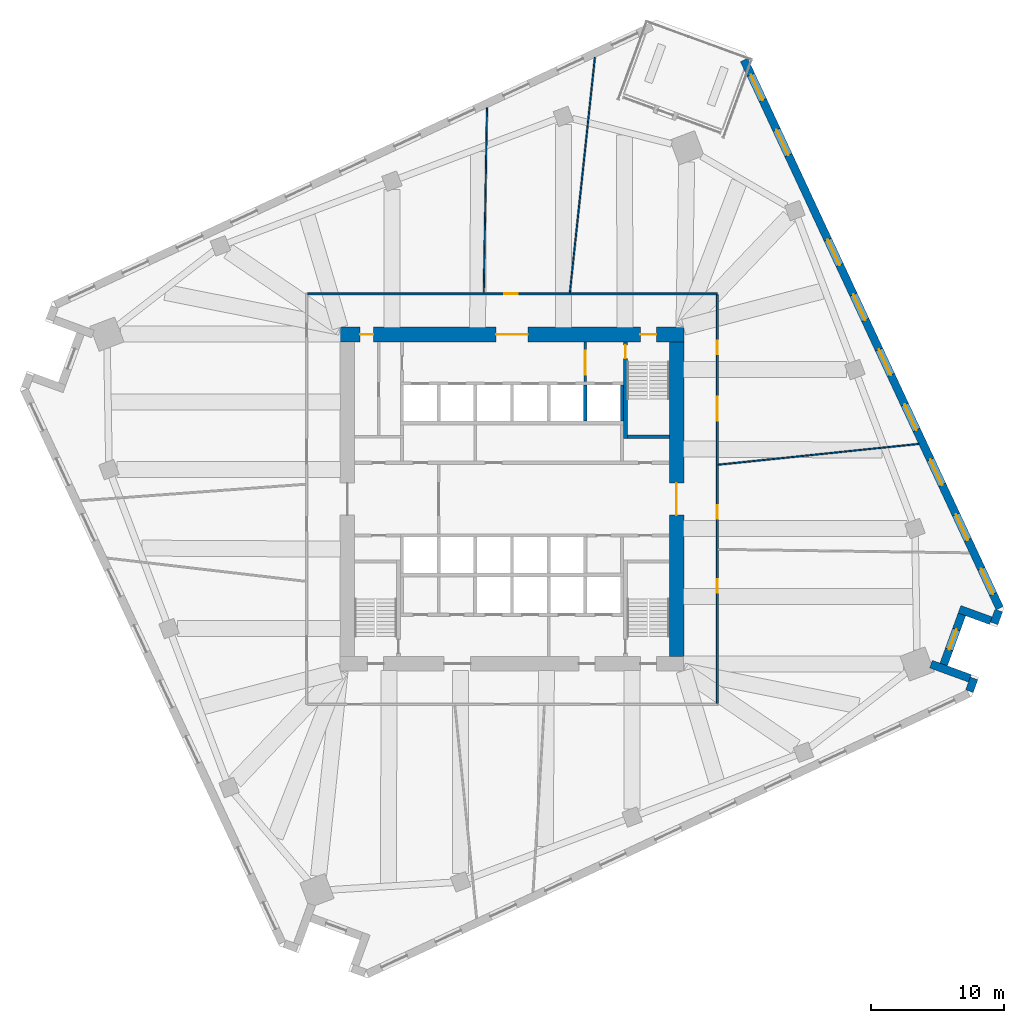
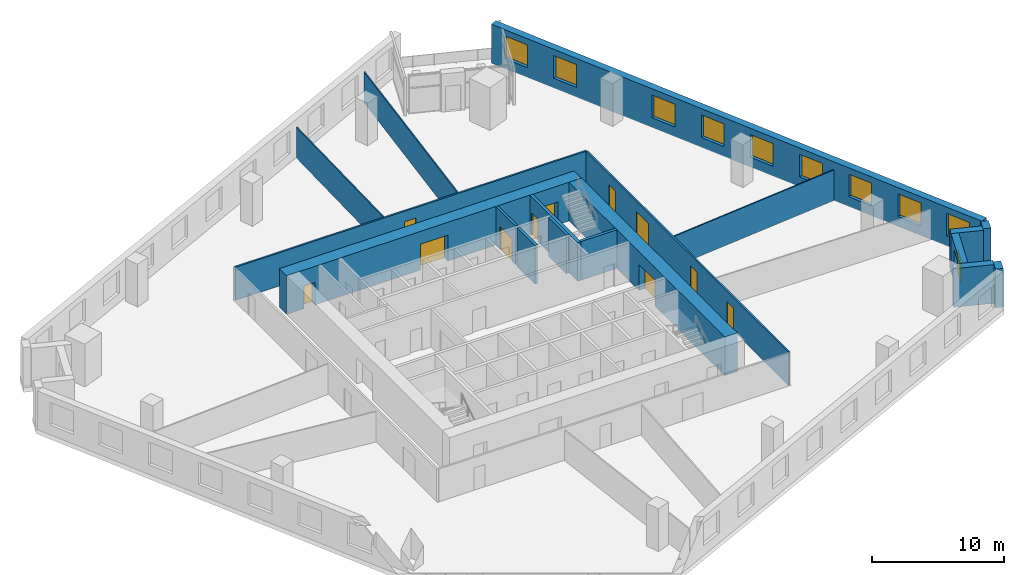
# One storey, part 9 of 12: 18 walls, 11 doors, 10 windows, 21 openings.
"""IFC4 building model written with IfcOpenShell, lengths in metres."""

from ifc_helpers import new_model, si_unit, direction, frame, frame_2d, origin, place, context, subcontext, project, spatial, rectangle, extrude, material, layer, layer_set, type_object, element, fill, save


model = new_model("IFC4")

# Units and contexts
model_context = context("Model", 3, precision=1e-05, world=origin(), true_north=direction((0.0, 1.0)))
body_context = subcontext(model_context, "Body", "Model", "MODEL_VIEW")
ifc_project = project(units=[si_unit("LENGTHUNIT", "METRE"), si_unit("AREAUNIT", "SQUARE_METRE"), si_unit("VOLUMEUNIT", "CUBIC_METRE"), si_unit("PLANEANGLEUNIT", "RADIAN"), si_unit("MASSUNIT", "GRAM", prefix="KILO")], contexts=[model_context])

# Site, building, storey
site_placement = place(None, origin())
site = spatial("IfcSite", under=ifc_project, at=site_placement, CompositionType="ELEMENT")
building_placement = place(site_placement, origin())
building = spatial("IfcBuilding", under=site, at=building_placement, Name="Dilmun Exchange Tower", CompositionType="ELEMENT")
storey_placement = place(building_placement, frame((0.0, 0.0, 122.10009765625)))
storey = spatial("IfcBuildingStorey", under=building, at=storey_placement, Name="L28", CompositionType="ELEMENT", Elevation=122.10009765625)

# Wall, opening, door
ifc_material_1 = material(Name="Concrete C40/50", Category="concrete")
ifc_layer_1 = layer(ifc_material_1, 0.199951171875)
ifc_layer_set_1 = layer_set([ifc_layer_1], Name="Concrete C40/50")
wall_type_1 = type_object("IfcWallType", Name="Core partition wall 200", PredefinedType="PARTITIONING", material=ifc_layer_set_1)
wall_1_placement = place(storey_placement, frame((5.5, 8.804931640625, 0.0), z_axis=(0.0, 0.0, 1.0), x_axis=(0.0, 1.0, 0.0)))
wall_1 = element("IfcWall", 1, at=wall_1_placement, inside=storey, type_object=wall_type_1, Name="L28 core partition wall 17", PredefinedType="PARTITIONING", context=body_context, shape_type="SweptSolid", body=[
    extrude(rectangle(XDim=2.989990234375, YDim=0.199951171875, at=frame_2d((1.4951171875, 0.0))), origin(), (0.0, 0.0, 1.0), 3.579833984375),
])
opening_1_placement = place(wall_1_placement, frame((0.532470703125, 0.0, 0.0)))
opening_1 = element("IfcOpeningElement", 2, at=opening_1_placement, cuts=wall_1, Name="Opening CD5", PredefinedType="OPENING", context=body_context, shape_type="SweptSolid", body=[
    extrude(rectangle(XDim=1.800048828125, YDim=2.10009765625, at=frame_2d((0.89990234375, 1.050048828125))), frame((0.0, 0.10986328125, 0.0), z_axis=(0.0, -1.0, 0.0), x_axis=(1.0, 0.0, 0.0)), (0.0, 0.0, 1.0), 0.219970703125),
])
ifc_material_2 = material(Name="Fire-rated steel door set", Category="steel")
door_type_1 = type_object("IfcDoorType", Name="Stair exit door 1800x2100", OperationType="SINGLE_SWING_LEFT", PredefinedType="DOOR", material=ifc_material_2)
door_1_placement = place(opening_1_placement, origin())
door_1 = element("IfcDoor", 3, at=door_1_placement, inside=storey, type_object=door_type_1, Name="L28 door Lift lobby east", OperationType="SINGLE_SWING_LEFT", OverallHeight=2.10009765625, OverallWidth=1.800048828125, PredefinedType="DOOR", context=body_context, shape_type="SweptSolid", body=[
    extrude(rectangle(XDim=1.800048828125, YDim=2.10009765625, at=frame_2d((0.89990234375, 1.050048828125))), frame((0.0, 0.02490234375, 0.0), z_axis=(0.0, -1.0, 0.0), x_axis=(1.0, 0.0, 0.0)), (0.0, 0.0, 1.0), 0.050048828125),
])
fill(opening_1, door_1)

# Wall, openings, doors
ifc_material_3 = material(Name="Concrete C80/95", Category="concrete")
ifc_layer_2 = layer(ifc_material_3, 1.10009765625)
ifc_layer_set_2 = layer_set([ifc_layer_2], Name="Concrete C80/95")
wall_type_2 = type_object("IfcWallType", Name="Core shear wall 1100 Concrete C80/95", PredefinedType="SHEAR", material=ifc_layer_set_2)
wall_2_placement = place(storey_placement, frame((-12.89990234375, 12.35009765625, 0.0), z_axis=(0.0, 0.0, 1.0), x_axis=(1.0, 0.0, 0.0)))
wall_2 = element("IfcWall", 4, at=wall_2_placement, inside=storey, type_object=wall_type_2, Name="L28 core shear wall N", PredefinedType="SHEAR", context=body_context, shape_type="SweptSolid", body=[
    extrude(rectangle(XDim=25.7998046875, YDim=1.10009765625, at=frame_2d((12.89990234375, 0.0))), origin(), (0.0, 0.0, 1.0), 3.579833984375),
])
opening_2_placement = place(wall_2_placement, frame((11.699951171875, 0.0, 0.0)))
opening_2 = element("IfcOpeningElement", 5, at=opening_2_placement, cuts=wall_2, Name="Opening CD1", PredefinedType="OPENING", context=body_context, shape_type="SweptSolid", body=[
    extrude(rectangle(XDim=2.39990234375, YDim=2.39990234375, at=frame_2d((1.199951171875, 1.199951171875))), frame((0.0, 0.56005859375, 0.0), z_axis=(0.0, -1.0, 0.0), x_axis=(1.0, 0.0, 0.0)), (0.0, 0.0, 1.0), 1.1201171875),
])
opening_3_placement = place(wall_2_placement, frame((22.52490234375, 0.0, 0.0)))
opening_3 = element("IfcOpeningElement", 6, at=opening_3_placement, cuts=wall_2, Name="Opening CD3", PredefinedType="OPENING", context=body_context, shape_type="SweptSolid", body=[
    extrude(rectangle(XDim=1.199951171875, YDim=2.10009765625, at=frame_2d((0.60009765625, 1.050048828125))), frame((0.0, 0.56005859375, 0.0), z_axis=(0.0, -1.0, 0.0), x_axis=(1.0, 0.0, 0.0)), (0.0, 0.0, 1.0), 1.1201171875),
])
opening_4_placement = place(wall_2_placement, frame((1.5, 0.0, 0.0)))
opening_4 = element("IfcOpeningElement", 7, at=opening_4_placement, cuts=wall_2, Name="Opening CD4", PredefinedType="OPENING", context=body_context, shape_type="SweptSolid", body=[
    extrude(rectangle(XDim=1.0, YDim=2.10009765625, at=frame_2d((0.5, 1.050048828125))), frame((0.0, 0.56005859375, 0.0), z_axis=(0.0, -1.0, 0.0), x_axis=(1.0, 0.0, 0.0)), (0.0, 0.0, 1.0), 1.1201171875),
])
door_type_2 = type_object("IfcDoorType", Name="Core lobby door 2400x2400", OperationType="DOUBLE_DOOR_DOUBLE_SWING", PredefinedType="DOOR", material=ifc_material_2)
door_2_placement = place(opening_2_placement, origin())
door_2 = element("IfcDoor", 8, at=door_2_placement, inside=storey, type_object=door_type_2, Name="L28 door North lift lobby", OperationType="SINGLE_SWING_LEFT", OverallHeight=2.39990234375, OverallWidth=2.39990234375, PredefinedType="DOOR", context=body_context, shape_type="SweptSolid", body=[
    extrude(rectangle(XDim=2.39990234375, YDim=2.39990234375, at=frame_2d((1.199951171875, 1.199951171875))), frame((0.0, 0.02490234375, 0.0), z_axis=(0.0, -1.0, 0.0), x_axis=(1.0, 0.0, 0.0)), (0.0, 0.0, 1.0), 0.050048828125),
])
fill(opening_2, door_2)
door_type_3 = type_object("IfcDoorType", Name="Core room door 1000x2100", OperationType="SINGLE_SWING_LEFT", PredefinedType="DOOR", material=ifc_material_2)
door_3_placement = place(opening_4_placement, origin())
door_3 = element("IfcDoor", 9, at=door_3_placement, inside=storey, type_object=door_type_3, Name="L28 door North-west core rooms", OperationType="SINGLE_SWING_LEFT", OverallHeight=2.10009765625, OverallWidth=1.0, PredefinedType="DOOR", context=body_context, shape_type="SweptSolid", body=[
    extrude(rectangle(XDim=1.0, YDim=2.10009765625, at=frame_2d((0.5, 1.050048828125))), frame((0.0, 0.02490234375, 0.0), z_axis=(0.0, -1.0, 0.0), x_axis=(1.0, 0.0, 0.0)), (0.0, 0.0, 1.0), 0.050048828125),
])
fill(opening_4, door_3)
door_type_4 = type_object("IfcDoorType", Name="Stair exit door 1200x2100", OperationType="SINGLE_SWING_LEFT", PredefinedType="DOOR", material=ifc_material_2)
door_4_placement = place(opening_3_placement, origin())
door_4 = element("IfcDoor", 10, at=door_4_placement, inside=storey, type_object=door_type_4, Name="L28 door Stair ST1", OperationType="SINGLE_SWING_LEFT", OverallHeight=2.10009765625, OverallWidth=1.199951171875, PredefinedType="DOOR", context=body_context, shape_type="SweptSolid", body=[
    extrude(rectangle(XDim=1.199951171875, YDim=2.10009765625, at=frame_2d((0.60009765625, 1.050048828125))), frame((0.0, 0.02490234375, 0.0), z_axis=(0.0, -1.0, 0.0), x_axis=(1.0, 0.0, 0.0)), (0.0, 0.0, 1.0), 0.050048828125),
])
fill(opening_3, door_4)

# Wall, opening, door
wall_3_placement = place(storey_placement, frame((12.35009765625, -11.800048828125, 0.0), z_axis=(0.0, 0.0, 1.0), x_axis=(0.0, 1.0, 0.0)))
wall_3 = element("IfcWall", 11, at=wall_3_placement, inside=storey, type_object=wall_type_2, Name="L28 core shear wall E", PredefinedType="SHEAR", context=body_context, shape_type="SweptSolid", body=[
    extrude(rectangle(XDim=23.60009765625, YDim=1.10009765625, at=frame_2d((11.800048828125, 0.0))), origin(), (0.0, 0.0, 1.0), 3.579833984375),
])
opening_5_placement = place(wall_3_placement, frame((10.60009765625, 0.0, 0.0)))
opening_5 = element("IfcOpeningElement", 12, at=opening_5_placement, cuts=wall_3, Name="Opening CD1", PredefinedType="OPENING", context=body_context, shape_type="SweptSolid", body=[
    extrude(rectangle(XDim=2.39990234375, YDim=2.39990234375, at=frame_2d((1.199951171875, 1.199951171875))), frame((0.0, 0.56005859375, 0.0), z_axis=(0.0, -1.0, 0.0), x_axis=(1.0, 0.0, 0.0)), (0.0, 0.0, 1.0), 1.1201171875),
])
door_5_placement = place(opening_5_placement, origin())
door_5 = element("IfcDoor", 13, at=door_5_placement, inside=storey, type_object=door_type_2, Name="L28 door Central lift lobby", OperationType="SINGLE_SWING_LEFT", OverallHeight=2.39990234375, OverallWidth=2.39990234375, PredefinedType="DOOR", context=body_context, shape_type="SweptSolid", body=[
    extrude(rectangle(XDim=2.39990234375, YDim=2.39990234375, at=frame_2d((1.199951171875, 1.199951171875))), frame((0.0, 0.02490234375, 0.0), z_axis=(0.0, -1.0, 0.0), x_axis=(1.0, 0.0, 0.0)), (0.0, 0.0, 1.0), 0.050048828125),
])
fill(opening_5, door_5)

ifc_material_4 = material(Name="Corridor wall 150")
ifc_layer_3 = layer(ifc_material_4, 0.14990234375)
ifc_layer_set_3 = layer_set([ifc_layer_3], Name="Corridor wall 150")
wall_type_3 = type_object("IfcWallType", Name="Corridor wall 150", PredefinedType="PARTITIONING", material=ifc_layer_set_3)
wall_4_placement = place(storey_placement, frame((-15.324951171875, 15.39990234375, 0.0), z_axis=(0.0, 0.0, 1.0), x_axis=(1.0, 0.0, 0.0)))
wall_4 = element("IfcWall", 14, at=wall_4_placement, inside=storey, type_object=wall_type_3, Name="Corridor wall", PredefinedType="PARTITIONING", context=body_context, shape_type="SweptSolid", body=[
    extrude(rectangle(XDim=30.724853515625, YDim=0.14990234375, at=frame_2d((15.3623046875, 0.0))), origin(), (0.0, 0.0, 1.0), 3.079833984375),
])
opening_6_placement = place(wall_4_placement, frame((14.75439453125, 0.0, 0.0)))
opening_6 = element("IfcOpeningElement", 15, at=opening_6_placement, cuts=wall_4, Name="Opening TF28-D07", PredefinedType="OPENING", context=body_context, shape_type="SweptSolid", body=[
    extrude(rectangle(XDim=1.0, YDim=2.10009765625, at=frame_2d((0.5, 1.050048828125))), frame((0.0, 0.0849609375, 0.0), z_axis=(0.0, -1.0, 0.0), x_axis=(1.0, 0.0, 0.0)), (0.0, 0.0, 1.0), 0.169921875),
])
ifc_material_5 = material(Name="Fire door 1000 x 2100")
door_type_5 = type_object("IfcDoorType", Name="Fire door 1000 x 2100", OperationType="NOTDEFINED", PredefinedType="DOOR", material=ifc_material_5)
door_6_placement = place(opening_6_placement, origin())
door_6 = element("IfcDoor", 16, at=door_6_placement, inside=storey, type_object=door_type_5, Name="Door TF28-D07", OperationType="SINGLE_SWING_LEFT", OverallHeight=2.10009765625, OverallWidth=1.0, PredefinedType="DOOR", context=body_context, shape_type="SweptSolid", body=[
    extrude(rectangle(XDim=1.0, YDim=2.10009765625, at=frame_2d((0.5, 1.050048828125))), frame((0.0, 0.02490234375, 0.0), z_axis=(0.0, -1.0, 0.0), x_axis=(1.0, 0.0, 0.0)), (0.0, 0.0, 1.0), 0.050048828125),
])
fill(opening_6, door_6)

# Wall, openings, doors
wall_5_placement = place(storey_placement, frame((15.39990234375, -15.324951171875, 0.0), z_axis=(0.0, 0.0, 1.0), x_axis=(0.0, 1.0, 0.0)))
wall_5 = element("IfcWall", 17, at=wall_5_placement, inside=storey, type_object=wall_type_3, Name="Corridor wall", PredefinedType="PARTITIONING", context=body_context, shape_type="SweptSolid", body=[
    extrude(rectangle(XDim=30.64990234375, YDim=0.14990234375, at=frame_2d((15.324951171875, 0.0))), origin(), (0.0, 0.0, 1.0), 3.079833984375),
])
opening_7_placement = place(wall_5_placement, frame((21.1982421875, 0.0, 0.0)))
opening_7 = element("IfcOpeningElement", 18, at=opening_7_placement, cuts=wall_5, Name="Opening TF28-D08", PredefinedType="OPENING", context=body_context, shape_type="SweptSolid", body=[
    extrude(rectangle(XDim=1.800048828125, YDim=2.10009765625, at=frame_2d((0.89990234375, 1.050048828125))), frame((0.0, 0.0849609375, 0.0), z_axis=(0.0, -1.0, 0.0), x_axis=(1.0, 0.0, 0.0)), (0.0, 0.0, 1.0), 0.169921875),
])
opening_8_placement = place(wall_5_placement, frame((26.1982421875, 0.0, 0.0)))
opening_8 = element("IfcOpeningElement", 19, at=opening_8_placement, cuts=wall_5, Name="Opening TF28-D09", PredefinedType="OPENING", context=body_context, shape_type="SweptSolid", body=[
    extrude(rectangle(XDim=1.0, YDim=2.10009765625, at=frame_2d((0.5, 1.050048828125))), frame((0.0, 0.0849609375, 0.0), z_axis=(0.0, -1.0, 0.0), x_axis=(1.0, 0.0, 0.0)), (0.0, 0.0, 1.0), 0.169921875),
])
opening_9_placement = place(wall_5_placement, frame((8.300048828125, 0.0, 0.0)))
opening_9 = element("IfcOpeningElement", 20, at=opening_9_placement, cuts=wall_5, Name="Opening TF28-D11", PredefinedType="OPENING", context=body_context, shape_type="SweptSolid", body=[
    extrude(rectangle(XDim=1.0, YDim=2.10009765625, at=frame_2d((0.5, 1.050048828125))), frame((0.0, 0.0849609375, 0.0), z_axis=(0.0, -1.0, 0.0), x_axis=(1.0, 0.0, 0.0)), (0.0, 0.0, 1.0), 0.169921875),
])
opening_10_placement = place(wall_5_placement, frame((13.856201171875, 0.0, 0.0)))
opening_10 = element("IfcOpeningElement", 21, at=opening_10_placement, cuts=wall_5, Name="Opening TF28-D12", PredefinedType="OPENING", context=body_context, shape_type="SweptSolid", body=[
    extrude(rectangle(XDim=1.0, YDim=2.10009765625, at=frame_2d((0.5, 1.050048828125))), frame((0.0, 0.0849609375, 0.0), z_axis=(0.0, -1.0, 0.0), x_axis=(1.0, 0.0, 0.0)), (0.0, 0.0, 1.0), 0.169921875),
])
door_7_placement = place(opening_8_placement, frame((1.0, 0.0, 0.0), z_axis=(0.0, 0.0, 1.0), x_axis=(-1.0, 0.0, 0.0)))
door_7 = element("IfcDoor", 22, at=door_7_placement, inside=storey, type_object=door_type_5, Name="Door TF28-D09", OperationType="SINGLE_SWING_LEFT", OverallHeight=2.10009765625, OverallWidth=1.0, PredefinedType="DOOR", context=body_context, shape_type="SweptSolid", body=[
    extrude(rectangle(XDim=1.0, YDim=2.10009765625, at=frame_2d((0.5, 1.050048828125))), frame((0.0, 0.02490234375, 0.0), z_axis=(0.0, -1.0, 0.0), x_axis=(1.0, 0.0, 0.0)), (0.0, 0.0, 1.0), 0.050048828125),
])
fill(opening_8, door_7)
door_8_placement = place(opening_9_placement, frame((1.0, 0.0, 0.0), z_axis=(0.0, 0.0, 1.0), x_axis=(-1.0, 0.0, 0.0)))
door_8 = element("IfcDoor", 23, at=door_8_placement, inside=storey, type_object=door_type_5, Name="Door TF28-D11", OperationType="SINGLE_SWING_LEFT", OverallHeight=2.10009765625, OverallWidth=1.0, PredefinedType="DOOR", context=body_context, shape_type="SweptSolid", body=[
    extrude(rectangle(XDim=1.0, YDim=2.10009765625, at=frame_2d((0.5, 1.050048828125))), frame((0.0, 0.02490234375, 0.0), z_axis=(0.0, -1.0, 0.0), x_axis=(1.0, 0.0, 0.0)), (0.0, 0.0, 1.0), 0.050048828125),
])
fill(opening_9, door_8)
door_9_placement = place(opening_10_placement, frame((1.0, 0.0, 0.0), z_axis=(0.0, 0.0, 1.0), x_axis=(-1.0, 0.0, 0.0)))
door_9 = element("IfcDoor", 24, at=door_9_placement, inside=storey, type_object=door_type_5, Name="Door TF28-D12", OperationType="SINGLE_SWING_RIGHT", OverallHeight=2.10009765625, OverallWidth=1.0, PredefinedType="DOOR", context=body_context, shape_type="SweptSolid", body=[
    extrude(rectangle(XDim=1.0, YDim=2.10009765625, at=frame_2d((0.5, 1.050048828125))), frame((0.0, 0.02490234375, 0.0), z_axis=(0.0, -1.0, 0.0), x_axis=(1.0, 0.0, 0.0)), (0.0, 0.0, 1.0), 0.050048828125),
])
fill(opening_10, door_9)
ifc_material_6 = material(Name="Fire door pair 1800 x 2100")
door_type_6 = type_object("IfcDoorType", Name="Fire door pair 1800 x 2100", OperationType="NOTDEFINED", PredefinedType="DOOR", material=ifc_material_6)
door_10_placement = place(opening_7_placement, frame((1.800048828125, 0.0, 0.0), z_axis=(0.0, 0.0, 1.0), x_axis=(-1.0, 0.0, 0.0)))
door_10 = element("IfcDoor", 25, at=door_10_placement, inside=storey, type_object=door_type_6, Name="Door TF28-D08", OperationType="DOUBLE_DOOR_SINGLE_SWING", OverallHeight=2.10009765625, OverallWidth=1.800048828125, PredefinedType="DOOR", context=body_context, shape_type="SweptSolid", body=[
    extrude(rectangle(XDim=1.800048828125, YDim=2.10009765625, at=frame_2d((0.89990234375, 1.050048828125))), frame((0.0, 0.02490234375, 0.0), z_axis=(0.0, -1.0, 0.0), x_axis=(1.0, 0.0, 0.0)), (0.0, 0.0, 1.0), 0.050048828125),
])
fill(opening_7, door_10)

# Walls
ifc_layer_4 = layer(ifc_material_1, 0.25)
ifc_layer_set_4 = layer_set([ifc_layer_4], Name="Concrete C40/50")
wall_type_4 = type_object("IfcWallType", Name="Lift shaft wall 250", PredefinedType="SOLIDWALL", material=ifc_layer_set_4)
for number, where, z_axis, x_axis, name in (
    (26, (5.5, 5.85009765625, 0.0), (0.0, 0.0, 1.0), (0.0, 1.0, 0.0), "L28 lift shaft divider N25"),
    (27, (8.25, 5.85009765625, 0.0), (0.0, 0.0, 1.0), (0.0, 1.0, 0.0), "L28 lift shaft divider N26"),
):
    element("IfcWall", number, at=place(storey_placement, frame(where, z_axis=z_axis, x_axis=x_axis)), inside=storey, type_object=wall_type_4, Name=name, PredefinedType="SOLIDWALL", context=body_context, shape_type="SweptSolid", body=[
        extrude(rectangle(XDim=2.699951171875, YDim=0.25, at=frame_2d((1.35009765625, 0.0))), origin(), (0.0, 0.0, 1.0), 3.579833984375),
    ])
ifc_material_7 = material(Name="Partition 100")
ifc_layer_5 = layer(ifc_material_7, 0.10009765625)
ifc_layer_set_5 = layer_set([ifc_layer_5], Name="Partition 100")
wall_type_5 = type_object("IfcWallType", Name="Partition 100", PredefinedType="PARTITIONING", material=ifc_layer_set_5)
wall_6_placement = place(storey_placement, frame((-2.11962890625, 15.475830078125, 0.0), z_axis=(0.0, 0.0, 1.0), x_axis=(0.017569228937, 0.999845649185, 0.0)))
element("IfcWall", 28, at=wall_6_placement, inside=storey, type_object=wall_type_5, Name="Partition", PredefinedType="PARTITIONING", context=body_context, shape_type="SweptSolid", body=[
    extrude(rectangle(XDim=13.882080078125, YDim=0.10009765625, at=frame_2d((6.94091796875, 0.0))), origin(), (0.0, 0.0, 1.0), 2.829833984375),
])
wall_7_placement = place(storey_placement, frame((4.339599609375, 15.480224609375, 0.0), z_axis=(0.0, 0.0, 1.0), x_axis=(0.105856083798, 0.99438146077, 0.0)))
element("IfcWall", 29, at=wall_7_placement, inside=storey, type_object=wall_type_5, Name="Partition", PredefinedType="PARTITIONING", context=body_context, shape_type="SweptSolid", body=[
    extrude(rectangle(XDim=17.74951171875, YDim=0.10009765625, at=frame_2d((8.874755859375, 0.0))), origin(), (0.0, 0.0, 1.0), 2.829833984375),
])
wall_8_placement = place(storey_placement, frame((15.480224609375, 2.581298828125, 0.0), z_axis=(0.0, 0.0, 1.0), x_axis=(0.994667182355, 0.10313678464, 0.0)))
element("IfcWall", 30, at=wall_8_placement, inside=storey, type_object=wall_type_5, Name="Partition", PredefinedType="PARTITIONING", context=body_context, shape_type="SweptSolid", body=[
    extrude(rectangle(XDim=15.107177734375, YDim=0.10009765625, at=frame_2d((7.5537109375, 0.0))), origin(), (0.0, 0.0, 1.0), 2.829833984375),
])
ifc_material_8 = material(Name="Precast concrete C50/60", Category="concrete")
ifc_layer_6 = layer(ifc_material_8, 0.60009765625)
ifc_layer_set_6 = layer_set([ifc_layer_6], Name="Precast concrete C50/60")
wall_type_6 = type_object("IfcWallType", Name="Precast stone-clad wall 600", PredefinedType="STANDARD", material=ifc_layer_set_6)
wall_9_placement = place(storey_placement, frame((34.320068359375, -14.40380859375, 0.0), z_axis=(0.0, 0.0, 1.0), x_axis=(0.342111355193, 0.939659417368, 0.0)))
element("IfcWall", 31, at=wall_9_placement, inside=storey, type_object=wall_type_6, Name="Facade wall L28-16", PredefinedType="STANDARD", context=body_context, shape_type="SweptSolid", body=[
    extrude(rectangle(XDim=1.01123046875, YDim=0.60009765625, at=frame_2d((0.505615234375, 0.0))), origin(), (0.0, 0.0, 1.0), 3.579833984375),
])
wall_10_placement = place(storey_placement, frame((34.349853515625, -13.44482421875, 0.0), z_axis=(0.0, 0.0, 1.0), x_axis=(-0.939708408288, 0.341976764406, 0.0)))
element("IfcWall", 32, at=wall_10_placement, inside=storey, type_object=wall_type_6, Name="Facade wall L28-17", PredefinedType="STANDARD", context=body_context, shape_type="SweptSolid", body=[
    extrude(rectangle(XDim=3.103271484375, YDim=0.60009765625, at=frame_2d((1.5517578125, 0.0))), origin(), (0.0, 0.0, 1.0), 3.579833984375),
])

# Wall, opening, window
wall_11_placement = place(storey_placement, frame((32.385009765625, -12.41064453125, 0.0), z_axis=(0.0, 0.0, 1.0), x_axis=(0.342037080957, 0.939686455819, 0.0)))
wall_11 = element("IfcWall", 33, at=wall_11_placement, inside=storey, type_object=wall_type_6, Name="Facade wall L28-18", PredefinedType="STANDARD", context=body_context, shape_type="SweptSolid", body=[
    extrude(rectangle(XDim=4.0, YDim=0.60009765625, at=frame_2d((2.0, 0.0))), origin(), (0.0, 0.0, 1.0), 3.579833984375),
])
opening_11_placement = place(wall_11_placement, frame((1.199951171875, 0.0, 0.89990234375)))
opening_11 = element("IfcOpeningElement", 34, at=opening_11_placement, cuts=wall_11, Name="Opening W160-210", PredefinedType="OPENING", context=body_context, shape_type="SweptSolid", body=[
    extrude(rectangle(XDim=1.60009765625, YDim=2.10009765625, at=frame_2d((0.800048828125, 1.050048828125))), frame((0.0, 0.31005859375, 0.0), z_axis=(0.0, -1.0, 0.0), x_axis=(1.0, 0.0, 0.0)), (0.0, 0.0, 1.0), 0.6201171875),
])
ifc_material_9 = material(Name="Clear low-emissivity glass in aluminium frame", Category="aluminium")
window_type_1 = type_object("IfcWindowType", Name="Punched window 1600 x 2100", PartitioningType="DOUBLE_PANEL_VERTICAL", PredefinedType="WINDOW", material=ifc_material_9)
window_1_placement = place(opening_11_placement, origin())
window_1 = element("IfcWindow", 35, at=window_1_placement, inside=storey, type_object=window_type_1, Name="Window 19.1", OverallHeight=2.10009765625, OverallWidth=1.60009765625, PartitioningType="SINGLE_PANEL", PredefinedType="WINDOW", context=body_context, shape_type="SweptSolid", body=[
    extrude(rectangle(XDim=1.60009765625, YDim=2.10009765625, at=frame_2d((0.800048828125, 1.050048828125))), frame((0.0, 0.030029296875, 0.0), z_axis=(0.0, -1.0, 0.0), x_axis=(1.0, 0.0, 0.0)), (0.0, 0.0, 1.0), 0.06005859375),
])
fill(opening_11, window_1)

# Walls
wall_12_placement = place(storey_placement, frame((33.57373046875, -8.267333984375, 0.0), z_axis=(0.0, 0.0, 1.0), x_axis=(0.939707859211, -0.341978273195, 0.0)))
element("IfcWall", 36, at=wall_12_placement, inside=storey, type_object=wall_type_6, Name="Facade wall L28-19", PredefinedType="STANDARD", context=body_context, shape_type="SweptSolid", body=[
    extrude(rectangle(XDim=2.5, YDim=0.60009765625, at=frame_2d((1.25, 0.0))), origin(), (0.0, 0.0, 1.0), 3.579833984375),
])
wall_13_placement = place(storey_placement, frame((36.1708984375, -9.31884765625, 0.0), z_axis=(0.0, 0.0, 1.0), x_axis=(0.34189815265, 0.939737012794, 0.0)))
element("IfcWall", 37, at=wall_13_placement, inside=storey, type_object=wall_type_6, Name="Facade wall L28-20", PredefinedType="STANDARD", context=body_context, shape_type="SweptSolid", body=[
    extrude(rectangle(XDim=1.01123046875, YDim=0.60009765625, at=frame_2d((0.505615234375, 0.0))), origin(), (0.0, 0.0, 1.0), 3.579833984375),
])

# Wall, openings, windows
wall_14_placement = place(storey_placement, frame((36.5849609375, -8.1806640625, 0.0), z_axis=(0.0, 0.0, 1.0), x_axis=(-0.422617406673, 0.906308185761, 0.0)))
wall_14 = element("IfcWall", 38, at=wall_14_placement, inside=storey, type_object=wall_type_6, Name="Facade wall L28-21", PredefinedType="STANDARD", context=body_context, shape_type="SweptSolid", body=[
    extrude(rectangle(XDim=45.37548828125, YDim=0.60009765625, at=frame_2d((22.687744140625, 0.0))), origin(), (0.0, 0.0, 1.0), 3.579833984375),
])
opening_12_placement = place(wall_14_placement, frame((1.162841796875, 0.0, 0.89990234375)))
opening_12 = element("IfcOpeningElement", 39, at=opening_12_placement, cuts=wall_14, Name="Opening W210-210", PredefinedType="OPENING", context=body_context, shape_type="SweptSolid", body=[
    extrude(rectangle(XDim=2.10009765625, YDim=2.10009765625, at=frame_2d((1.050048828125, 1.050048828125))), frame((0.0, 0.31005859375, 0.0), z_axis=(0.0, -1.0, 0.0), x_axis=(1.0, 0.0, 0.0)), (0.0, 0.0, 1.0), 0.6201171875),
])
opening_13_placement = place(wall_14_placement, frame((5.650634765625, 0.0, 0.89990234375)))
opening_13 = element("IfcOpeningElement", 40, at=opening_13_placement, cuts=wall_14, Name="Opening W210-210", PredefinedType="OPENING", context=body_context, shape_type="SweptSolid", body=[
    extrude(rectangle(XDim=2.10009765625, YDim=2.10009765625, at=frame_2d((1.050048828125, 1.050048828125))), frame((0.0, 0.31005859375, 0.0), z_axis=(0.0, -1.0, 0.0), x_axis=(1.0, 0.0, 0.0)), (0.0, 0.0, 1.0), 0.6201171875),
])
opening_14_placement = place(wall_14_placement, frame((10.20068359375, 0.0, 0.89990234375)))
opening_14 = element("IfcOpeningElement", 41, at=opening_14_placement, cuts=wall_14, Name="Opening W210-210", PredefinedType="OPENING", context=body_context, shape_type="SweptSolid", body=[
    extrude(rectangle(XDim=2.10009765625, YDim=2.10009765625, at=frame_2d((1.050048828125, 1.050048828125))), frame((0.0, 0.31005859375, 0.0), z_axis=(0.0, -1.0, 0.0), x_axis=(1.0, 0.0, 0.0)), (0.0, 0.0, 1.0), 0.6201171875),
])
opening_15_placement = place(wall_14_placement, frame((14.750732421875, 0.0, 0.89990234375)))
opening_15 = element("IfcOpeningElement", 42, at=opening_15_placement, cuts=wall_14, Name="Opening W210-210", PredefinedType="OPENING", context=body_context, shape_type="SweptSolid", body=[
    extrude(rectangle(XDim=2.10009765625, YDim=2.10009765625, at=frame_2d((1.050048828125, 1.050048828125))), frame((0.0, 0.31005859375, 0.0), z_axis=(0.0, -1.0, 0.0), x_axis=(1.0, 0.0, 0.0)), (0.0, 0.0, 1.0), 0.6201171875),
])
opening_16_placement = place(wall_14_placement, frame((19.30078125, 0.0, 0.89990234375)))
opening_16 = element("IfcOpeningElement", 43, at=opening_16_placement, cuts=wall_14, Name="Opening W210-210", PredefinedType="OPENING", context=body_context, shape_type="SweptSolid", body=[
    extrude(rectangle(XDim=2.10009765625, YDim=2.10009765625, at=frame_2d((1.050048828125, 1.050048828125))), frame((0.0, 0.31005859375, 0.0), z_axis=(0.0, -1.0, 0.0), x_axis=(1.0, 0.0, 0.0)), (0.0, 0.0, 1.0), 0.6201171875),
])
opening_17_placement = place(wall_14_placement, frame((23.8505859375, 0.0, 0.89990234375)))
opening_17 = element("IfcOpeningElement", 44, at=opening_17_placement, cuts=wall_14, Name="Opening W210-210", PredefinedType="OPENING", context=body_context, shape_type="SweptSolid", body=[
    extrude(rectangle(XDim=2.10009765625, YDim=2.10009765625, at=frame_2d((1.050048828125, 1.050048828125))), frame((0.0, 0.31005859375, 0.0), z_axis=(0.0, -1.0, 0.0), x_axis=(1.0, 0.0, 0.0)), (0.0, 0.0, 1.0), 0.6201171875),
])
opening_18_placement = place(wall_14_placement, frame((28.400634765625, 0.0, 0.89990234375)))
opening_18 = element("IfcOpeningElement", 45, at=opening_18_placement, cuts=wall_14, Name="Opening W210-210", PredefinedType="OPENING", context=body_context, shape_type="SweptSolid", body=[
    extrude(rectangle(XDim=2.10009765625, YDim=2.10009765625, at=frame_2d((1.050048828125, 1.050048828125))), frame((0.0, 0.31005859375, 0.0), z_axis=(0.0, -1.0, 0.0), x_axis=(1.0, 0.0, 0.0)), (0.0, 0.0, 1.0), 0.6201171875),
])
opening_19_placement = place(wall_14_placement, frame((37.500732421875, 0.0, 0.89990234375)))
opening_19 = element("IfcOpeningElement", 46, at=opening_19_placement, cuts=wall_14, Name="Opening W210-210", PredefinedType="OPENING", context=body_context, shape_type="SweptSolid", body=[
    extrude(rectangle(XDim=2.10009765625, YDim=2.10009765625, at=frame_2d((1.050048828125, 1.050048828125))), frame((0.0, 0.31005859375, 0.0), z_axis=(0.0, -1.0, 0.0), x_axis=(1.0, 0.0, 0.0)), (0.0, 0.0, 1.0), 0.6201171875),
])
opening_20_placement = place(wall_14_placement, frame((42.05078125, 0.0, 0.89990234375)))
opening_20 = element("IfcOpeningElement", 47, at=opening_20_placement, cuts=wall_14, Name="Opening W210-210", PredefinedType="OPENING", context=body_context, shape_type="SweptSolid", body=[
    extrude(rectangle(XDim=2.10009765625, YDim=2.10009765625, at=frame_2d((1.050048828125, 1.050048828125))), frame((0.0, 0.31005859375, 0.0), z_axis=(0.0, -1.0, 0.0), x_axis=(1.0, 0.0, 0.0)), (0.0, 0.0, 1.0), 0.6201171875),
])
window_type_2 = type_object("IfcWindowType", Name="Punched window 2100 x 2100", PartitioningType="DOUBLE_PANEL_VERTICAL", PredefinedType="WINDOW", material=ifc_material_9)
window_2_placement = place(opening_12_placement, origin())
window_2 = element("IfcWindow", 48, at=window_2_placement, inside=storey, type_object=window_type_2, Name="Window 22.1", OverallHeight=2.10009765625, OverallWidth=2.10009765625, PartitioningType="SINGLE_PANEL", PredefinedType="WINDOW", context=body_context, shape_type="SweptSolid", body=[
    extrude(rectangle(XDim=2.10009765625, YDim=2.10009765625, at=frame_2d((1.050048828125, 1.050048828125))), frame((0.0, 0.030029296875, 0.0), z_axis=(0.0, -1.0, 0.0), x_axis=(1.0, 0.0, 0.0)), (0.0, 0.0, 1.0), 0.06005859375),
])
fill(opening_12, window_2)
window_3_placement = place(opening_13_placement, origin())
window_3 = element("IfcWindow", 49, at=window_3_placement, inside=storey, type_object=window_type_2, Name="Window 22.2", OverallHeight=2.10009765625, OverallWidth=2.10009765625, PartitioningType="SINGLE_PANEL", PredefinedType="WINDOW", context=body_context, shape_type="SweptSolid", body=[
    extrude(rectangle(XDim=2.10009765625, YDim=2.10009765625, at=frame_2d((1.050048828125, 1.050048828125))), frame((0.0, 0.030029296875, 0.0), z_axis=(0.0, -1.0, 0.0), x_axis=(1.0, 0.0, 0.0)), (0.0, 0.0, 1.0), 0.06005859375),
])
fill(opening_13, window_3)
window_4_placement = place(opening_14_placement, origin())
window_4 = element("IfcWindow", 50, at=window_4_placement, inside=storey, type_object=window_type_2, Name="Window 22.3", OverallHeight=2.10009765625, OverallWidth=2.10009765625, PartitioningType="SINGLE_PANEL", PredefinedType="WINDOW", context=body_context, shape_type="SweptSolid", body=[
    extrude(rectangle(XDim=2.10009765625, YDim=2.10009765625, at=frame_2d((1.050048828125, 1.050048828125))), frame((0.0, 0.030029296875, 0.0), z_axis=(0.0, -1.0, 0.0), x_axis=(1.0, 0.0, 0.0)), (0.0, 0.0, 1.0), 0.06005859375),
])
fill(opening_14, window_4)
window_5_placement = place(opening_15_placement, origin())
window_5 = element("IfcWindow", 51, at=window_5_placement, inside=storey, type_object=window_type_2, Name="Window 22.4", OverallHeight=2.10009765625, OverallWidth=2.10009765625, PartitioningType="SINGLE_PANEL", PredefinedType="WINDOW", context=body_context, shape_type="SweptSolid", body=[
    extrude(rectangle(XDim=2.10009765625, YDim=2.10009765625, at=frame_2d((1.050048828125, 1.050048828125))), frame((0.0, 0.030029296875, 0.0), z_axis=(0.0, -1.0, 0.0), x_axis=(1.0, 0.0, 0.0)), (0.0, 0.0, 1.0), 0.06005859375),
])
fill(opening_15, window_5)
window_6_placement = place(opening_16_placement, origin())
window_6 = element("IfcWindow", 52, at=window_6_placement, inside=storey, type_object=window_type_2, Name="Window 22.5", OverallHeight=2.10009765625, OverallWidth=2.10009765625, PartitioningType="SINGLE_PANEL", PredefinedType="WINDOW", context=body_context, shape_type="SweptSolid", body=[
    extrude(rectangle(XDim=2.10009765625, YDim=2.10009765625, at=frame_2d((1.050048828125, 1.050048828125))), frame((0.0, 0.030029296875, 0.0), z_axis=(0.0, -1.0, 0.0), x_axis=(1.0, 0.0, 0.0)), (0.0, 0.0, 1.0), 0.06005859375),
])
fill(opening_16, window_6)
window_7_placement = place(opening_17_placement, origin())
window_7 = element("IfcWindow", 53, at=window_7_placement, inside=storey, type_object=window_type_2, Name="Window 22.6", OverallHeight=2.10009765625, OverallWidth=2.10009765625, PartitioningType="SINGLE_PANEL", PredefinedType="WINDOW", context=body_context, shape_type="SweptSolid", body=[
    extrude(rectangle(XDim=2.10009765625, YDim=2.10009765625, at=frame_2d((1.050048828125, 1.050048828125))), frame((0.0, 0.030029296875, 0.0), z_axis=(0.0, -1.0, 0.0), x_axis=(1.0, 0.0, 0.0)), (0.0, 0.0, 1.0), 0.06005859375),
])
fill(opening_17, window_7)
window_8_placement = place(opening_18_placement, origin())
window_8 = element("IfcWindow", 54, at=window_8_placement, inside=storey, type_object=window_type_2, Name="Window 22.7", OverallHeight=2.10009765625, OverallWidth=2.10009765625, PartitioningType="SINGLE_PANEL", PredefinedType="WINDOW", context=body_context, shape_type="SweptSolid", body=[
    extrude(rectangle(XDim=2.10009765625, YDim=2.10009765625, at=frame_2d((1.050048828125, 1.050048828125))), frame((0.0, 0.030029296875, 0.0), z_axis=(0.0, -1.0, 0.0), x_axis=(1.0, 0.0, 0.0)), (0.0, 0.0, 1.0), 0.06005859375),
])
fill(opening_18, window_8)
window_9_placement = place(opening_19_placement, origin())
window_9 = element("IfcWindow", 55, at=window_9_placement, inside=storey, type_object=window_type_2, Name="Window 22.9", OverallHeight=2.10009765625, OverallWidth=2.10009765625, PartitioningType="SINGLE_PANEL", PredefinedType="WINDOW", context=body_context, shape_type="SweptSolid", body=[
    extrude(rectangle(XDim=2.10009765625, YDim=2.10009765625, at=frame_2d((1.050048828125, 1.050048828125))), frame((0.0, 0.030029296875, 0.0), z_axis=(0.0, -1.0, 0.0), x_axis=(1.0, 0.0, 0.0)), (0.0, 0.0, 1.0), 0.06005859375),
])
fill(opening_19, window_9)
window_10_placement = place(opening_20_placement, origin())
window_10 = element("IfcWindow", 56, at=window_10_placement, inside=storey, type_object=window_type_2, Name="Window 22.10", OverallHeight=2.10009765625, OverallWidth=2.10009765625, PartitioningType="SINGLE_PANEL", PredefinedType="WINDOW", context=body_context, shape_type="SweptSolid", body=[
    extrude(rectangle(XDim=2.10009765625, YDim=2.10009765625, at=frame_2d((1.050048828125, 1.050048828125))), frame((0.0, 0.030029296875, 0.0), z_axis=(0.0, -1.0, 0.0), x_axis=(1.0, 0.0, 0.0)), (0.0, 0.0, 1.0), 0.06005859375),
])
fill(opening_20, window_10)

# Wall
ifc_layer_7 = layer(ifc_material_1, 0.25)
ifc_layer_set_7 = layer_set([ifc_layer_7], Name="Concrete C40/50")
wall_type_7 = type_object("IfcWallType", Name="Stair end wall 250", PredefinedType="SOLIDWALL", material=ifc_layer_set_7)
wall_15_placement = place(storey_placement, frame((8.64990234375, 4.675048828125, 0.0), z_axis=(0.0, 0.0, 1.0), x_axis=(1.0, 0.0, 0.0)))
element("IfcWall", 57, at=wall_15_placement, inside=storey, type_object=wall_type_7, Name="L28 ST1 far wall", PredefinedType="SOLIDWALL", context=body_context, shape_type="SweptSolid", body=[
    extrude(rectangle(XDim=3.150146484375, YDim=0.25, at=frame_2d((1.5751953125, 0.0))), origin(), (0.0, 0.0, 1.0), 3.579833984375),
])

# Wall, opening, door
ifc_layer_8 = layer(ifc_material_1, 0.27490234375)
ifc_layer_set_8 = layer_set([ifc_layer_8], Name="Concrete C40/50")
wall_type_8 = type_object("IfcWallType", Name="Stair wall 275", PredefinedType="SOLIDWALL", material=ifc_layer_set_8)
wall_16_placement = place(storey_placement, frame((8.512451171875, 4.550048828125, 0.0), z_axis=(0.0, 0.0, 1.0), x_axis=(0.0, 1.0, 0.0)))
wall_16 = element("IfcWall", 58, at=wall_16_placement, inside=storey, type_object=wall_type_8, Name="L28 ST1 wall to lift block", PredefinedType="SOLIDWALL", context=body_context, shape_type="SweptSolid", body=[
    extrude(rectangle(XDim=7.25, YDim=0.27490234375, at=frame_2d((3.625, 0.0))), origin(), (0.0, 0.0, 1.0), 3.579833984375),
])
opening_21_placement = place(wall_16_placement, frame((6.0, 0.0, 0.0)))
opening_21 = element("IfcOpeningElement", 59, at=opening_21_placement, cuts=wall_16, Name="Opening CD4", PredefinedType="OPENING", context=body_context, shape_type="SweptSolid", body=[
    extrude(rectangle(XDim=1.0, YDim=2.10009765625, at=frame_2d((0.5, 1.050048828125))), frame((0.0, 0.1474609375, 0.0), z_axis=(0.0, -1.0, 0.0), x_axis=(1.0, 0.0, 0.0)), (0.0, 0.0, 1.0), 0.294921875),
])
door_11_placement = place(opening_21_placement, origin())
door_11 = element("IfcDoor", 60, at=door_11_placement, inside=storey, type_object=door_type_3, Name="L28 door ST1 from lobby", OperationType="SINGLE_SWING_LEFT", OverallHeight=2.10009765625, OverallWidth=1.0, PredefinedType="DOOR", context=body_context, shape_type="SweptSolid", body=[
    extrude(rectangle(XDim=1.0, YDim=2.10009765625, at=frame_2d((0.5, 1.050048828125))), frame((0.0, 0.02490234375, 0.0), z_axis=(0.0, -1.0, 0.0), x_axis=(1.0, 0.0, 0.0)), (0.0, 0.0, 1.0), 0.050048828125),
])
fill(opening_21, door_11)

save(model, "model.ifc")
